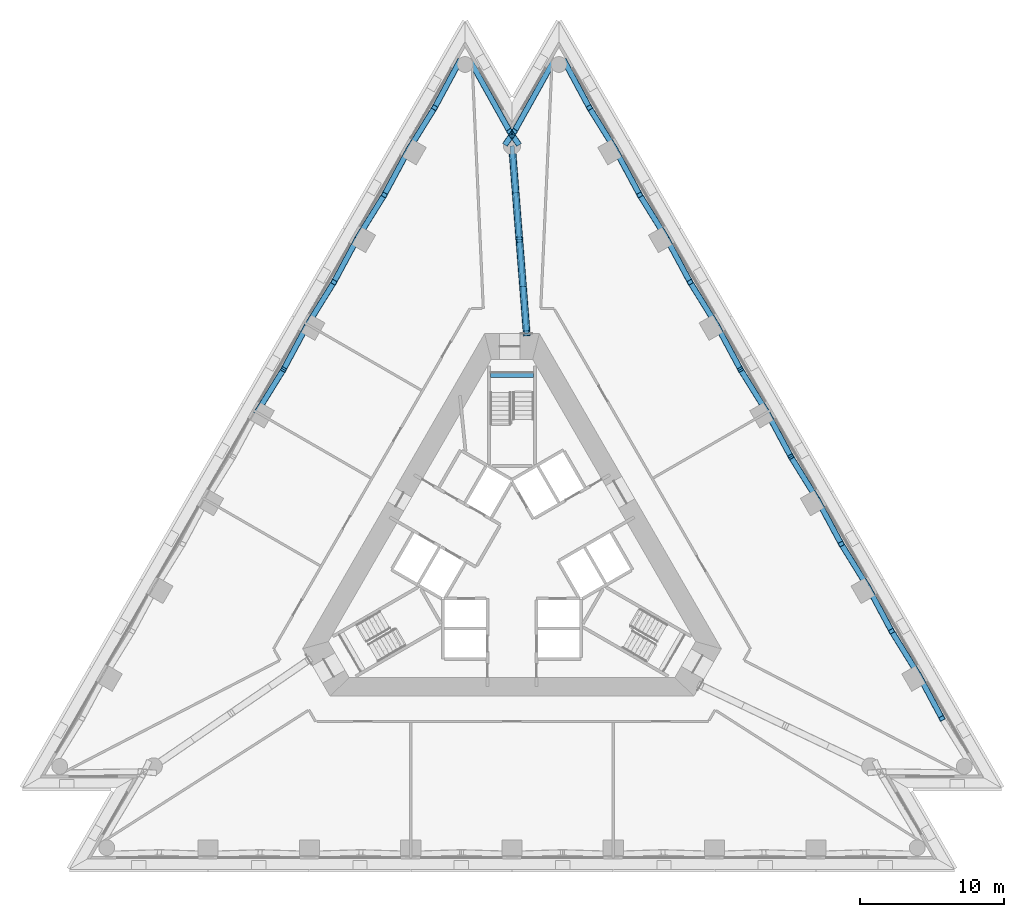
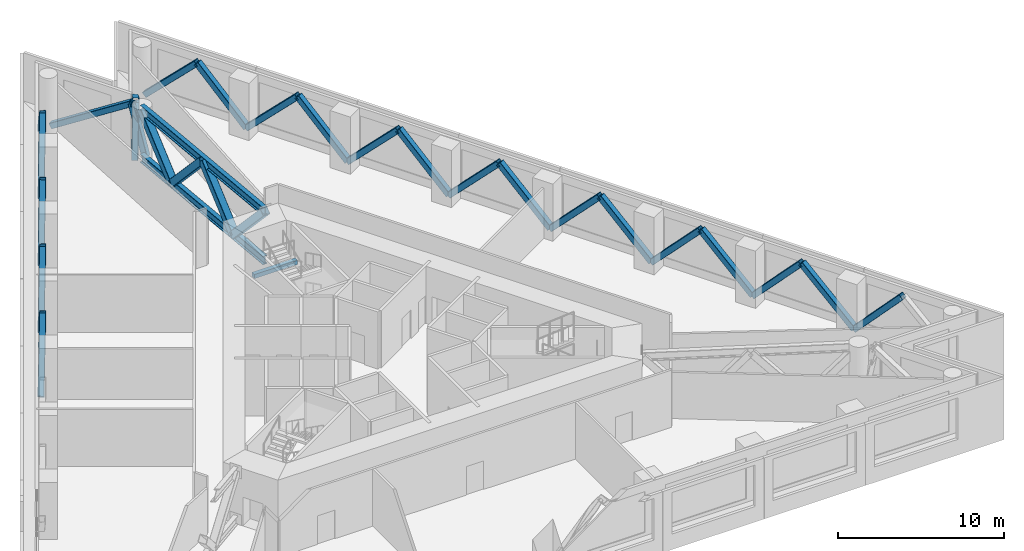
# One storey, part 2 of 12: 33 members, 1 beam.
"""IFC4 building model written with IfcOpenShell, lengths in metres."""

from ifc_helpers import new_model, si_unit, direction, frame, origin, origin_2d, place, context, subcontext, project, spatial, rectangle, hollow_rectangle, i_section, extrude, material, material_profile, profile_set, type_object, element, save


model = new_model("IFC4")

# Units and contexts
model_context = context("Model", 3, precision=1e-05, world=origin(), true_north=direction((0.0, 1.0)))
body_context = subcontext(model_context, "Body", "Model", "MODEL_VIEW")
ifc_project = project(units=[si_unit("LENGTHUNIT", "METRE"), si_unit("AREAUNIT", "SQUARE_METRE"), si_unit("VOLUMEUNIT", "CUBIC_METRE"), si_unit("PLANEANGLEUNIT", "RADIAN"), si_unit("MASSUNIT", "GRAM", prefix="KILO")], contexts=[model_context])

# Site, building, storey
site_placement = place(None, origin())
site = spatial("IfcSite", under=ifc_project, at=site_placement, CompositionType="ELEMENT")
building_placement = place(site_placement, origin())
building = spatial("IfcBuilding", under=site, at=building_placement, Name="Triada Interchange Tower", CompositionType="ELEMENT")
storey_placement = place(building_placement, frame((0.0, 0.0, 99.800048828125)))
storey = spatial("IfcBuildingStorey", under=building, at=storey_placement, Name="L22", CompositionType="ELEMENT", Elevation=99.800048828125)

# Members
ifc_material_1 = material(Name="Steel S355", Category="steel")
ifc_material_profile_1 = material_profile(ifc_material_1, hollow_rectangle(XDim=0.39990234375, YDim=0.39990234375, WallThickness=0.02001953125, InnerFilletRadius=0.02001953125, OuterFilletRadius=0.030029296875, at=origin_2d()), Name="RHS 400x400x20")
ifc_profile_set_1 = profile_set([ifc_material_profile_1], Name="Steel S355")
member_type_1 = type_object("IfcMemberType", Name="Belt truss diagonal RHS 400x400x20", PredefinedType="BRACE", material=ifc_profile_set_1)
member_1_placement = place(storey_placement, frame((-3.64306640625, 34.6240234375, 0.14990234375), z_axis=(-0.335439287017, -0.623552445396, 0.70616062802), x_axis=(0.880659522162, -0.473749729314, 0.0)))
element("IfcMember", 1, at=member_1_placement, inside=storey, type_object=member_type_1, Name="Belt truss diagonal 001 L22", PredefinedType="BRACE", context=body_context, shape_type="SweptSolid", body=[
    extrude(hollow_rectangle(XDim=0.39990234375, YDim=0.39990234375, WallThickness=0.02001953125, InnerFilletRadius=0.02001953125, OuterFilletRadius=0.030029296875, at=origin_2d()), origin(), (0.0, 0.0, 1.0), 5.1689453125),
])
member_2_placement = place(storey_placement, frame((-7.1630859375, 28.52587890625, 0.14990234375), z_axis=(0.358812684886, 0.577553058668, 0.733270701439), x_axis=(-0.849421655317, 0.527714744421, 0.0)))
element("IfcMember", 2, at=member_2_placement, inside=storey, type_object=member_type_1, Name="Belt truss diagonal 002 L22", PredefinedType="BRACE", context=body_context, shape_type="SweptSolid", body=[
    extrude(hollow_rectangle(XDim=0.39990234375, YDim=0.39990234375, WallThickness=0.02001953125, InnerFilletRadius=0.02001953125, OuterFilletRadius=0.030029296875, at=origin_2d()), origin(), (0.0, 0.0, 1.0), 4.977783203125),
])
member_3_placement = place(storey_placement, frame((-7.1630859375, 28.52587890625, 0.14990234375), z_axis=(-0.333577144246, -0.620138147717, 0.710038707805), x_axis=(0.880674586144, -0.473721725615, 0.0)))
element("IfcMember", 3, at=member_3_placement, inside=storey, type_object=member_type_1, Name="Belt truss diagonal 003 L22", PredefinedType="BRACE", context=body_context, shape_type="SweptSolid", body=[
    extrude(hollow_rectangle(XDim=0.39990234375, YDim=0.39990234375, WallThickness=0.02001953125, InnerFilletRadius=0.02001953125, OuterFilletRadius=0.030029296875, at=origin_2d()), origin(), (0.0, 0.0, 1.0), 5.140869140625),
])
member_4_placement = place(storey_placement, frame((-10.68408203125, 22.428955078125, 0.14990234375), z_axis=(0.360886623428, 0.581233322269, 0.729334402119), x_axis=(-0.849560837171, 0.527490648207, 0.0)))
element("IfcMember", 4, at=member_4_placement, inside=storey, type_object=member_type_1, Name="Belt truss diagonal 004 L22", PredefinedType="BRACE", context=body_context, shape_type="SweptSolid", body=[
    extrude(hollow_rectangle(XDim=0.39990234375, YDim=0.39990234375, WallThickness=0.02001953125, InnerFilletRadius=0.02001953125, OuterFilletRadius=0.030029296875, at=origin_2d()), origin(), (0.0, 0.0, 1.0), 5.0048828125),
])
member_5_placement = place(storey_placement, frame((-10.68408203125, 22.428955078125, 0.14990234375), z_axis=(-0.331426388652, -0.616972518086, 0.713793710277), x_axis=(0.880941278817, -0.473225594486, 0.0)))
element("IfcMember", 5, at=member_5_placement, inside=storey, type_object=member_type_1, Name="Belt truss diagonal 005 L22", PredefinedType="BRACE", context=body_context, shape_type="SweptSolid", body=[
    extrude(hollow_rectangle(XDim=0.39990234375, YDim=0.39990234375, WallThickness=0.02001953125, InnerFilletRadius=0.02001953125, OuterFilletRadius=0.030029296875, at=origin_2d()), origin(), (0.0, 0.0, 1.0), 5.11376953125),
])
member_6_placement = place(storey_placement, frame((-14.2041015625, 16.3310546875, 0.14990234375), z_axis=(0.362757974839, 0.584896285273, 0.725467426674), x_axis=(-0.849823115938, 0.527067995251, 0.0)))
element("IfcMember", 6, at=member_6_placement, inside=storey, type_object=member_type_1, Name="Belt truss diagonal 006 L22", PredefinedType="BRACE", context=body_context, shape_type="SweptSolid", body=[
    extrude(hollow_rectangle(XDim=0.39990234375, YDim=0.39990234375, WallThickness=0.02001953125, InnerFilletRadius=0.02001953125, OuterFilletRadius=0.030029296875, at=origin_2d()), origin(), (0.0, 0.0, 1.0), 5.031494140625),
])
member_7_placement = place(storey_placement, frame((-14.2041015625, 16.3310546875, 0.14990234375), z_axis=(-0.329281942485, -0.613635619931, 0.717652233541), x_axis=(0.881151863073, -0.472833368326, 0.0)))
element("IfcMember", 7, at=member_7_placement, inside=storey, type_object=member_type_1, Name="Belt truss diagonal 007 L22", PredefinedType="BRACE", context=body_context, shape_type="SweptSolid", body=[
    extrude(hollow_rectangle(XDim=0.39990234375, YDim=0.39990234375, WallThickness=0.02001953125, InnerFilletRadius=0.02001953125, OuterFilletRadius=0.030029296875, at=origin_2d()), origin(), (0.0, 0.0, 1.0), 5.086181640625),
])
member_8_placement = place(storey_placement, frame((-17.72509765625, 10.23388671875, 0.14990234375), z_axis=(0.364963963651, 0.588324612127, 0.721578447573), x_axis=(-0.849771542704, 0.527151140765, 0.0)))
element("IfcMember", 8, at=member_8_placement, inside=storey, type_object=member_type_1, Name="Belt truss diagonal 008 L22", PredefinedType="BRACE", context=body_context, shape_type="SweptSolid", body=[
    extrude(hollow_rectangle(XDim=0.39990234375, YDim=0.39990234375, WallThickness=0.02001953125, InnerFilletRadius=0.02001953125, OuterFilletRadius=0.030029296875, at=origin_2d()), origin(), (0.0, 0.0, 1.0), 5.05859375),
])
member_9_placement = place(storey_placement, frame((28.285888671875, -8.05908203125, 0.14990234375), z_axis=(0.320823047782, -0.59956933387, 0.733204736683), x_axis=(0.881709298467, 0.471793082821, 0.0)))
element("IfcMember", 9, at=member_9_placement, inside=storey, type_object=member_type_1, Name="Belt truss diagonal 042 L22", PredefinedType="BRACE", context=body_context, shape_type="SweptSolid", body=[
    extrude(hollow_rectangle(XDim=0.39990234375, YDim=0.39990234375, WallThickness=0.02001953125, InnerFilletRadius=0.02001953125, OuterFilletRadius=0.030029296875, at=origin_2d()), origin(), (0.0, 0.0, 1.0), 4.978271484375),
])
member_10_placement = place(storey_placement, frame((28.285888671875, -8.05908203125, 0.14990234375), z_axis=(-0.370325442517, 0.598941328677, 0.710019965513), x_axis=(-0.850549595877, -0.525894842106, 0.0)))
element("IfcMember", 10, at=member_10_placement, inside=storey, type_object=member_type_1, Name="Belt truss diagonal 043 L22", PredefinedType="BRACE", context=body_context, shape_type="SweptSolid", body=[
    extrude(hollow_rectangle(XDim=0.39990234375, YDim=0.39990234375, WallThickness=0.02001953125, InnerFilletRadius=0.02001953125, OuterFilletRadius=0.030029296875, at=origin_2d()), origin(), (0.0, 0.0, 1.0), 5.140869140625),
])
member_11_placement = place(storey_placement, frame((24.764892578125, -1.9619140625, 0.14990234375), z_axis=(0.323130093585, -0.603039585885, 0.729335451267), x_axis=(0.881435446521, 0.472304513651, 0.0)))
element("IfcMember", 11, at=member_11_placement, inside=storey, type_object=member_type_1, Name="Belt truss diagonal 044 L22", PredefinedType="BRACE", context=body_context, shape_type="SweptSolid", body=[
    extrude(hollow_rectangle(XDim=0.39990234375, YDim=0.39990234375, WallThickness=0.02001953125, InnerFilletRadius=0.02001953125, OuterFilletRadius=0.030029296875, at=origin_2d()), origin(), (0.0, 0.0, 1.0), 5.004638671875),
])
member_12_placement = place(storey_placement, frame((24.764892578125, -1.9619140625, 0.14990234375), z_axis=(-0.368424143371, 0.595513986019, 0.713881462875), x_axis=(-0.850410427795, -0.52611985735, 0.0)))
element("IfcMember", 12, at=member_12_placement, inside=storey, type_object=member_type_1, Name="Belt truss diagonal 045 L22", PredefinedType="BRACE", context=body_context, shape_type="SweptSolid", body=[
    extrude(hollow_rectangle(XDim=0.39990234375, YDim=0.39990234375, WallThickness=0.02001953125, InnerFilletRadius=0.02001953125, OuterFilletRadius=0.030029296875, at=origin_2d()), origin(), (0.0, 0.0, 1.0), 5.113037109375),
])
member_13_placement = place(storey_placement, frame((21.2451171875, 4.135986328125, 0.14990234375), z_axis=(0.325118609978, -0.606716641959, 0.725391484521), x_axis=(0.881424427581, 0.472325077107, 0.0)))
element("IfcMember", 13, at=member_13_placement, inside=storey, type_object=member_type_1, Name="Belt truss diagonal 046 L22", PredefinedType="BRACE", context=body_context, shape_type="SweptSolid", body=[
    extrude(hollow_rectangle(XDim=0.39990234375, YDim=0.39990234375, WallThickness=0.02001953125, InnerFilletRadius=0.02001953125, OuterFilletRadius=0.030029296875, at=origin_2d()), origin(), (0.0, 0.0, 1.0), 5.031982421875),
])
member_14_placement = place(storey_placement, frame((21.2451171875, 4.135986328125, 0.14990234375), z_axis=(-0.366771354965, 0.591874873739, 0.71774849844), x_axis=(-0.850025558814, -0.526741444508, 0.0)))
element("IfcMember", 14, at=member_14_placement, inside=storey, type_object=member_type_1, Name="Belt truss diagonal 047 L22", PredefinedType="BRACE", context=body_context, shape_type="SweptSolid", body=[
    extrude(hollow_rectangle(XDim=0.39990234375, YDim=0.39990234375, WallThickness=0.02001953125, InnerFilletRadius=0.02001953125, OuterFilletRadius=0.030029296875, at=origin_2d()), origin(), (0.0, 0.0, 1.0), 5.08544921875),
])
member_15_placement = place(storey_placement, frame((17.72509765625, 10.23388671875, 0.14990234375), z_axis=(0.327075106407, -0.610334308916, 0.721466496886), x_axis=(0.881413657606, 0.47234517483, 0.0)))
element("IfcMember", 15, at=member_15_placement, inside=storey, type_object=member_type_1, Name="Belt truss diagonal 048 L22", PredefinedType="BRACE", context=body_context, shape_type="SweptSolid", body=[
    extrude(hollow_rectangle(XDim=0.39990234375, YDim=0.39990234375, WallThickness=0.02001953125, InnerFilletRadius=0.02001953125, OuterFilletRadius=0.030029296875, at=origin_2d()), origin(), (0.0, 0.0, 1.0), 5.059326171875),
])
member_16_placement = place(storey_placement, frame((17.72509765625, 10.23388671875, 0.14990234375), z_axis=(-0.364963963651, 0.588324612127, 0.721578447573), x_axis=(-0.849771542704, -0.527151140765, 0.0)))
element("IfcMember", 16, at=member_16_placement, inside=storey, type_object=member_type_1, Name="Belt truss diagonal 049 L22", PredefinedType="BRACE", context=body_context, shape_type="SweptSolid", body=[
    extrude(hollow_rectangle(XDim=0.39990234375, YDim=0.39990234375, WallThickness=0.02001953125, InnerFilletRadius=0.02001953125, OuterFilletRadius=0.030029296875, at=origin_2d()), origin(), (0.0, 0.0, 1.0), 5.05859375),
])
member_17_placement = place(storey_placement, frame((14.2041015625, 16.3310546875, 0.14990234375), z_axis=(0.329281942485, -0.613635619931, 0.717652233541), x_axis=(0.881151863073, 0.472833368326, 0.0)))
element("IfcMember", 17, at=member_17_placement, inside=storey, type_object=member_type_1, Name="Belt truss diagonal 050 L22", PredefinedType="BRACE", context=body_context, shape_type="SweptSolid", body=[
    extrude(hollow_rectangle(XDim=0.39990234375, YDim=0.39990234375, WallThickness=0.02001953125, InnerFilletRadius=0.02001953125, OuterFilletRadius=0.030029296875, at=origin_2d()), origin(), (0.0, 0.0, 1.0), 5.086181640625),
])
member_18_placement = place(storey_placement, frame((14.2041015625, 16.3310546875, 0.14990234375), z_axis=(-0.362757974839, 0.584896285273, 0.725467426674), x_axis=(-0.849823115938, -0.527067995251, 0.0)))
element("IfcMember", 18, at=member_18_placement, inside=storey, type_object=member_type_1, Name="Belt truss diagonal 051 L22", PredefinedType="BRACE", context=body_context, shape_type="SweptSolid", body=[
    extrude(hollow_rectangle(XDim=0.39990234375, YDim=0.39990234375, WallThickness=0.02001953125, InnerFilletRadius=0.02001953125, OuterFilletRadius=0.030029296875, at=origin_2d()), origin(), (0.0, 0.0, 1.0), 5.031494140625),
])
member_19_placement = place(storey_placement, frame((10.68408203125, 22.428955078125, 0.14990234375), z_axis=(0.331426388652, -0.616972518086, 0.713793710277), x_axis=(0.880941278817, 0.473225594486, 0.0)))
element("IfcMember", 19, at=member_19_placement, inside=storey, type_object=member_type_1, Name="Belt truss diagonal 052 L22", PredefinedType="BRACE", context=body_context, shape_type="SweptSolid", body=[
    extrude(hollow_rectangle(XDim=0.39990234375, YDim=0.39990234375, WallThickness=0.02001953125, InnerFilletRadius=0.02001953125, OuterFilletRadius=0.030029296875, at=origin_2d()), origin(), (0.0, 0.0, 1.0), 5.11376953125),
])
member_20_placement = place(storey_placement, frame((10.68408203125, 22.428955078125, 0.14990234375), z_axis=(-0.360886623428, 0.581233322269, 0.729334402119), x_axis=(-0.849560837171, -0.527490648207, 0.0)))
element("IfcMember", 20, at=member_20_placement, inside=storey, type_object=member_type_1, Name="Belt truss diagonal 053 L22", PredefinedType="BRACE", context=body_context, shape_type="SweptSolid", body=[
    extrude(hollow_rectangle(XDim=0.39990234375, YDim=0.39990234375, WallThickness=0.02001953125, InnerFilletRadius=0.02001953125, OuterFilletRadius=0.030029296875, at=origin_2d()), origin(), (0.0, 0.0, 1.0), 5.0048828125),
])
member_21_placement = place(storey_placement, frame((7.1630859375, 28.52587890625, 0.14990234375), z_axis=(0.333577144246, -0.620138147717, 0.710038707805), x_axis=(0.880674586144, 0.473721725615, 0.0)))
element("IfcMember", 21, at=member_21_placement, inside=storey, type_object=member_type_1, Name="Belt truss diagonal 054 L22", PredefinedType="BRACE", context=body_context, shape_type="SweptSolid", body=[
    extrude(hollow_rectangle(XDim=0.39990234375, YDim=0.39990234375, WallThickness=0.02001953125, InnerFilletRadius=0.02001953125, OuterFilletRadius=0.030029296875, at=origin_2d()), origin(), (0.0, 0.0, 1.0), 5.140869140625),
])
member_22_placement = place(storey_placement, frame((7.1630859375, 28.52587890625, 0.14990234375), z_axis=(-0.358812684886, 0.577553058668, 0.733270701439), x_axis=(-0.849421655317, -0.527714744421, 0.0)))
element("IfcMember", 22, at=member_22_placement, inside=storey, type_object=member_type_1, Name="Belt truss diagonal 055 L22", PredefinedType="BRACE", context=body_context, shape_type="SweptSolid", body=[
    extrude(hollow_rectangle(XDim=0.39990234375, YDim=0.39990234375, WallThickness=0.02001953125, InnerFilletRadius=0.02001953125, OuterFilletRadius=0.030029296875, at=origin_2d()), origin(), (0.0, 0.0, 1.0), 4.977783203125),
])
member_23_placement = place(storey_placement, frame((3.64306640625, 34.6240234375, 0.14990234375), z_axis=(0.335439287017, -0.623552445396, 0.70616062802), x_axis=(0.880659522162, 0.473749729314, 0.0)))
element("IfcMember", 23, at=member_23_placement, inside=storey, type_object=member_type_1, Name="Belt truss diagonal 056 L22", PredefinedType="BRACE", context=body_context, shape_type="SweptSolid", body=[
    extrude(hollow_rectangle(XDim=0.39990234375, YDim=0.39990234375, WallThickness=0.02001953125, InnerFilletRadius=0.02001953125, OuterFilletRadius=0.030029296875, at=origin_2d()), origin(), (0.0, 0.0, 1.0), 5.1689453125),
])
member_24_placement = place(storey_placement, frame((2.881103515625, 34.6240234375, 0.14990234375), z_axis=(-0.409006653923, -0.732330200948, 0.544431844979), x_axis=(0.87306361914, -0.487606313469, 0.0)))
element("IfcMember", 24, at=member_24_placement, inside=storey, type_object=member_type_1, Name="Belt truss diagonal 057 L22", PredefinedType="BRACE", context=body_context, shape_type="SweptSolid", body=[
    extrude(hollow_rectangle(XDim=0.39990234375, YDim=0.39990234375, WallThickness=0.02001953125, InnerFilletRadius=0.02001953125, OuterFilletRadius=0.030029296875, at=origin_2d()), origin(), (0.0, 0.0, 1.0), 6.70458984375),
])
for number, where, z_axis, x_axis, name in (
    (25, (-0.381103515625, 28.972900390625, 0.14990234375), (0.138274787406, 0.197090260358, 0.970585139202), (-0.818623415454, 0.574330657087, 0.0), "Belt truss diagonal 058 L22"),
    (26, (0.381103515625, 28.972900390625, 0.14990234375), (-0.138274787406, 0.197090260358, 0.970585139202), (-0.818623415454, -0.574330657087, 0.0), "Belt truss diagonal 059 L22"),
):
    element("IfcMember", number, at=place(storey_placement, frame(where, z_axis=z_axis, x_axis=x_axis)), inside=storey, type_object=member_type_1, Name=name, PredefinedType="BRACE", context=body_context, shape_type="SweptSolid", body=[
        extrude(hollow_rectangle(XDim=0.39990234375, YDim=0.39990234375, WallThickness=0.02001953125, InnerFilletRadius=0.02001953125, OuterFilletRadius=0.030029296875, at=origin_2d()), origin(), (0.0, 0.0, 1.0), 3.7607421875),
    ])
member_25_placement = place(storey_placement, frame((-2.881103515625, 34.6240234375, 0.14990234375), z_axis=(0.409006653923, -0.732330200948, 0.544431844979), x_axis=(0.87306361914, 0.487606313469, 0.0)))
element("IfcMember", 27, at=member_25_placement, inside=storey, type_object=member_type_1, Name="Belt truss diagonal 060 L22", PredefinedType="BRACE", context=body_context, shape_type="SweptSolid", body=[
    extrude(hollow_rectangle(XDim=0.39990234375, YDim=0.39990234375, WallThickness=0.02001953125, InnerFilletRadius=0.02001953125, OuterFilletRadius=0.030029296875, at=origin_2d()), origin(), (0.0, 0.0, 1.0), 6.70458984375),
])

# Beam
ifc_material_2 = material(Name="Concrete C35/45", Category="concrete")
ifc_material_profile_2 = material_profile(ifc_material_2, rectangle(XDim=0.300048828125, YDim=0.300048828125, at=origin_2d()), Name="RC 300x300")
ifc_profile_set_2 = profile_set([ifc_material_profile_2], Name="Concrete C35/45")
beam_type = type_object("IfcBeamType", Name="Landing support beam RC 300x300", PredefinedType="BEAM", material=ifc_profile_set_2)
beam_placement = place(storey_placement, frame((1.5, 12.800048828125, 1.822265625), z_axis=(-1.0, 0.0, 0.0), x_axis=(0.0, -1.0, 0.0)))
element("IfcBeam", 28, at=beam_placement, inside=storey, type_object=beam_type, Name="Landing support beam S22-1 1", PredefinedType="BEAM", context=body_context, shape_type="SweptSolid", body=[
    extrude(rectangle(XDim=0.300048828125, YDim=0.300048828125, at=origin_2d()), origin(), (0.0, 0.0, 1.0), 3.0),
])

# Members
ifc_material_3 = material(Name="Steel S460M", Category="steel")
ifc_material_profile_3 = material_profile(ifc_material_3, i_section(OverallWidth=0.304931640625, OverallDepth=0.6201171875, WebThickness=0.02099609375, FlangeThickness=0.0400390625, FilletRadius=0.027099609375, at=origin_2d()), Name="HEM 600")
ifc_profile_set_3 = profile_set([ifc_material_profile_3], Name="Steel S460M")
member_type_2 = type_object("IfcMemberType", Name="Outrigger chord HEM 600", PredefinedType="CHORD", material=ifc_profile_set_3)
for number, where, z_axis, x_axis, name in (
    (29, (1.02099609375, 15.718017578125, 0.31005859375), (-0.078088627902, 0.996946420924, 0.0), (-0.996946420924, -0.078088627902, 0.0), "Outrigger bottom chord N L22"),
    (30, (1.02099609375, 15.718017578125, 3.889892578125), (-0.078088627902, 0.996946420924, 0.0), (-0.996946420924, -0.078088627902, 0.0), "Outrigger top chord N L22"),
):
    element("IfcMember", number, at=place(storey_placement, frame(where, z_axis=z_axis, x_axis=x_axis)), inside=storey, type_object=member_type_2, Name=name, PredefinedType="CHORD", context=body_context, shape_type="SweptSolid", body=[
        extrude(i_section(OverallWidth=0.304931640625, OverallDepth=0.6201171875, WebThickness=0.02099609375, FlangeThickness=0.0400390625, FilletRadius=0.027099609375, at=origin_2d()), origin(), (0.0, 0.0, 1.0), 13.074951171875),
    ])
ifc_material_profile_4 = material_profile(ifc_material_1, hollow_rectangle(XDim=0.5, YDim=0.5, WallThickness=0.02490234375, InnerFilletRadius=0.02490234375, OuterFilletRadius=0.03759765625, at=origin_2d()), Name="RHS 500x500x25")
ifc_profile_set_4 = profile_set([ifc_material_profile_4], Name="Steel S355")
member_type_3 = type_object("IfcMemberType", Name="Outrigger diagonal RHS 500x500x25", PredefinedType="BRACE", material=ifc_profile_set_4)
for number, where, z_axis, x_axis, name in (
    (31, (1.02099609375, 15.718017578125, 3.889892578125), (-0.052827763604, 0.672257212914, -0.738430407742), (-0.996926609233, -0.07834115013, 0.0), "Outrigger diagonal N 1 L22"),
    (32, (0.764892578125, 18.97705078125, 0.31005859375), (-0.05257666073, 0.672266134186, 0.738440207175), (-0.996955704366, -0.077970016882, 0.0), "Outrigger diagonal N 2 L22"),
):
    element("IfcMember", number, at=place(storey_placement, frame(where, z_axis=z_axis, x_axis=x_axis)), inside=storey, type_object=member_type_3, Name=name, PredefinedType="BRACE", context=body_context, shape_type="SweptSolid", body=[
        extrude(hollow_rectangle(XDim=0.5, YDim=0.5, WallThickness=0.02490234375, InnerFilletRadius=0.02490234375, OuterFilletRadius=0.03759765625, at=origin_2d()), origin(), (0.0, 0.0, 1.0), 4.847900390625),
    ])
member_26_placement = place(storey_placement, frame((0.510009765625, 22.236083984375, 3.889892578125), z_axis=(-0.05263579129, 0.672126314809, -0.738563260944), x_axis=(-0.996947620536, -0.078073311111, 0.0)))
element("IfcMember", 33, at=member_26_placement, inside=storey, type_object=member_type_3, Name="Outrigger diagonal N 3 L22", PredefinedType="BRACE", context=body_context, shape_type="SweptSolid", body=[
    extrude(hollow_rectangle(XDim=0.5, YDim=0.5, WallThickness=0.02490234375, InnerFilletRadius=0.02490234375, OuterFilletRadius=0.03759765625, at=origin_2d()), origin(), (0.0, 0.0, 1.0), 4.846923828125),
])
member_27_placement = place(storey_placement, frame((0.2548828125, 25.493896484375, 0.31005859375), z_axis=(-0.05257666073, 0.672266134186, 0.738440207175), x_axis=(-0.996955704366, -0.077970016882, 0.0)))
element("IfcMember", 34, at=member_27_placement, inside=storey, type_object=member_type_3, Name="Outrigger diagonal N 4 L22", PredefinedType="BRACE", context=body_context, shape_type="SweptSolid", body=[
    extrude(hollow_rectangle(XDim=0.5, YDim=0.5, WallThickness=0.02490234375, InnerFilletRadius=0.02490234375, OuterFilletRadius=0.03759765625, at=origin_2d()), origin(), (0.0, 0.0, 1.0), 4.847900390625),
])

save(model, "model.ifc")
